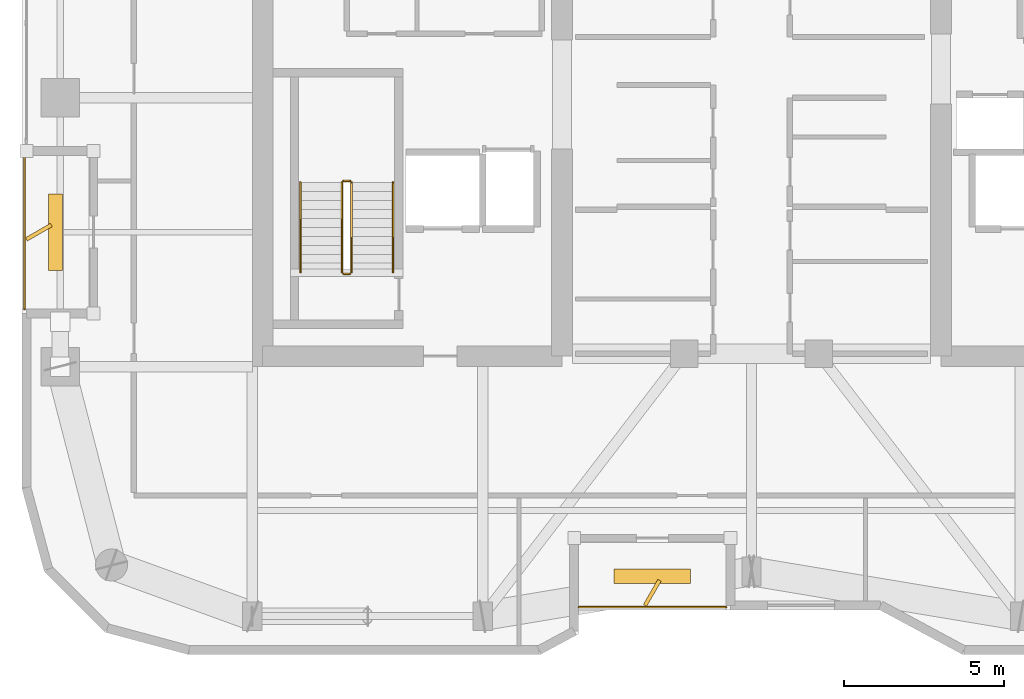
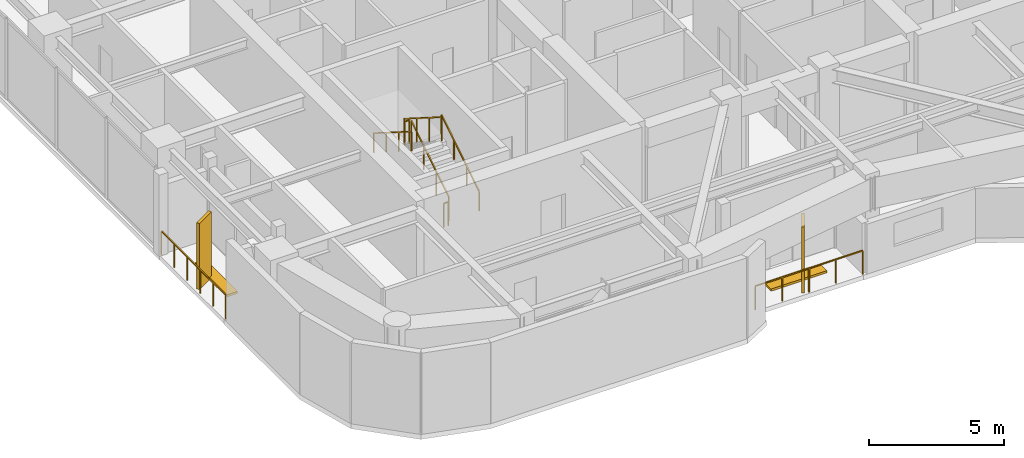
# One storey, part 19 of 21: 8 railings, 4 shading devices.
"""IFC4 building model written with IfcOpenShell, lengths in metres."""

import ifcopenshell
import ifcopenshell.guid

model = None  # the IFC model being written
_history = None  # IfcOwnerHistory: only IFC2X3 demands one
_inside = {}  # id of a spatial element -> (the spatial element, [elements in it])
_under = {}  # id of a project, library or spatial element -> (it, [spatial elements below it])
_declared = {}  # id of a project -> (the project, [libraries it declares])
_typed = {}  # id of a type object -> (the type object, [elements of that type])
_made_of = {}  # id of a material, layer set ... -> (it, [elements and type objects made of it])


def new_model(schema):
    """Start an empty IFC model of exactly this schema.

    Asked for "IFC4X3", IfcOpenShell would pick the latest addendum, in which some entities
    have other attributes; the version numbers below select the first issue.
    IFC2X3 requires an IfcOwnerHistory on every rooted entity: one is made here for all.
    """
    global model, _history
    if schema == "IFC4X3":
        model = ifcopenshell.file(schema_version=(4, 3, 0, 0))
    else:
        model = ifcopenshell.file(schema=schema)
    _inside.clear()
    _under.clear()
    _declared.clear()
    _typed.clear()
    _made_of.clear()
    _history = None
    if model.schema == "IFC2X3":
        org = make("IfcOrganization", Name="unknown")
        user = make(
            "IfcPersonAndOrganization",
            ThePerson=make("IfcPerson", FamilyName="unknown"),
            TheOrganization=org,
        )
        app = make(
            "IfcApplication",
            ApplicationDeveloper=org,
            Version="unknown",
            ApplicationFullName="unknown",
            ApplicationIdentifier="unknown",
        )
        _history = make(
            "IfcOwnerHistory",
            OwningUser=user,
            OwningApplication=app,
            ChangeAction="ADDED",
            CreationDate=0,
        )
    return model


def make(cls, **values):
    """One entity of the class cls with the attributes given. An attribute that is None is left unset."""
    return model.create_entity(
        cls, **{name: value for name, value in values.items() if value is not None}
    )


def rooted(cls, **values):
    """An entity with a GlobalId (a new one), such as an element, a storey or a relation."""
    return make(cls, GlobalId=ifcopenshell.guid.new(), OwnerHistory=_history, **values)


def si_unit(unit_type, name, prefix=None):
    """IfcSIUnit, for example si_unit("LENGTHUNIT", "METRE", prefix="MILLI")."""
    return make("IfcSIUnit", UnitType=unit_type, Prefix=prefix, Name=name)


def assignment(units):
    """IfcUnitAssignment: the units of a project."""
    return None if units is None else make("IfcUnitAssignment", Units=units)


def point(xyz):
    """IfcCartesianPoint."""
    return None if xyz is None else make("IfcCartesianPoint", Coordinates=xyz)


def direction(xyz):
    """IfcDirection."""
    return None if xyz is None else make("IfcDirection", DirectionRatios=xyz)


def frame(location, z_axis=None, x_axis=None):
    """IfcAxis2Placement3D, a coordinate frame: its origin and axes. An axis left out is left unset."""
    return make(
        "IfcAxis2Placement3D",
        Location=point(location),
        Axis=direction(z_axis),
        RefDirection=direction(x_axis),
    )


def frame_2d(location, x_axis=None):
    """IfcAxis2Placement2D, a coordinate frame in the plane: its origin and x axis."""
    return make(
        "IfcAxis2Placement2D", Location=point(location), RefDirection=direction(x_axis)
    )


def origin():
    """The frame at (0, 0, 0) with its axes left unset."""
    return frame((0.0, 0.0, 0.0))


def origin_2d():
    """The frame at (0, 0) in the plane with its x axis left unset."""
    return frame_2d((0.0, 0.0))


def place(relative_to, where):
    """IfcLocalPlacement: puts the frame where relative to a parent placement (None: the world)."""
    return make(
        "IfcLocalPlacement", PlacementRelTo=relative_to, RelativePlacement=where
    )


def context(
    kind, dimensions, precision=None, world=None, true_north=None, identifier=None
):
    """IfcGeometricRepresentationContext, for example the 3D "Model" context."""
    return make(
        "IfcGeometricRepresentationContext",
        ContextIdentifier=identifier,
        ContextType=kind,
        CoordinateSpaceDimension=dimensions,
        Precision=precision,
        WorldCoordinateSystem=world,
        TrueNorth=true_north,
    )


def subcontext(parent, identifier, kind, view, scale=None):
    """IfcGeometricRepresentationSubContext, for example "Body" below "Model"."""
    return make(
        "IfcGeometricRepresentationSubContext",
        ContextIdentifier=identifier,
        ContextType=kind,
        ParentContext=parent,
        TargetScale=scale,
        TargetView=view,
    )


def project(units=None, contexts=None):
    """IfcProject with its units and contexts."""
    return rooted(
        "IfcProject",
        Name="project",
        RepresentationContexts=contexts,
        UnitsInContext=assignment(units),
    )


def spatial(cls, under=None, at=None, **own):
    """A site, building, storey or space (cls), placed at a placement, below another one or the project."""
    s = rooted(cls, ObjectPlacement=at, **own)
    if under is not None:
        _under.setdefault(under.id(), (under, []))[1].append(s)
    return s


def profile(cls, at=None, kind="AREA", **sizes):
    """A parametric profile (cls). Its sizes go by their IFC names, for example OverallWidth=200.0."""
    return make(cls, ProfileType=kind, Position=at, **sizes)


def rectangle(**sizes):
    """IfcRectangleProfileDef."""
    return profile("IfcRectangleProfileDef", **sizes)


def extrude(swept, where, along, depth):
    """IfcExtrudedAreaSolid: the profile swept, set in the frame where, extruded along a direction by depth."""
    return make(
        "IfcExtrudedAreaSolid",
        SweptArea=swept,
        Position=where,
        ExtrudedDirection=direction(along),
        Depth=depth,
    )


def shape(context_of_items, identifier, shape_type, items):
    """IfcShapeRepresentation: the items that make up one representation, for example the "Body"."""
    return make(
        "IfcShapeRepresentation",
        ContextOfItems=context_of_items,
        RepresentationIdentifier=identifier,
        RepresentationType=shape_type,
        Items=items,
    )


def material(Name=None, Category=None):
    """IfcMaterial."""
    return make("IfcMaterial", Name=Name, Category=Category)


def made_of(thing, what):
    """Note that an element or type object is made of a material, layer set ...; save() writes the relation."""
    if what is not None:
        _made_of.setdefault(what.id(), (what, []))[1].append(thing)
    return thing


def type_object(cls, material=None, **own):
    """A type object (cls), such as IfcWallType, which elements share."""
    return made_of(rooted(cls, **own), material)


def element(
    cls,
    number,
    at=None,
    inside=None,
    cuts=None,
    type_object=None,
    material=None,
    context=None,
    identifier="Body",
    shape_type=None,
    held_by="IfcProductDefinitionShape",
    body=None,
    shapes=None,
    **own,
):
    """One element of the class cls, such as IfcWall. Its Tag is "e" and its number.

    at: its placement. inside: the storey or other place that contains it. cuts: it is an
    opening in that element (IfcRelVoidsElement). A single representation is given by context,
    identifier, shape_type and body (its items); several are given by shapes. held_by: the class
    of the entity that holds the representations. save() writes the other relations.
    """
    e = rooted(cls, Tag="e%d" % number, ObjectPlacement=at, **own)
    if body is not None:
        shapes = [shape(context, identifier, shape_type, body)]
    if shapes is not None:
        e.Representation = make(held_by, Representations=shapes)
    if inside is not None:
        _inside.setdefault(inside.id(), (inside, []))[1].append(e)
    if cuts is not None:
        rooted(
            "IfcRelVoidsElement", RelatingBuildingElement=cuts, RelatedOpeningElement=e
        )
    if type_object is not None:
        _typed.setdefault(type_object.id(), (type_object, []))[1].append(e)
    return made_of(e, material)


def aggregate(whole, parts):
    """IfcRelAggregates: a whole, such as a stair, and the parts it consists of."""
    return rooted("IfcRelAggregates", RelatingObject=whole, RelatedObjects=parts)


def save(model, path):
    """Write the relations noted so far, then the file.

    IfcRelAggregates (storeys below a building ...), IfcRelContainedInSpatialStructure (elements
    in a storey), IfcRelDefinesByType, IfcRelAssociatesMaterial and IfcRelDeclares: one each for
    every whole, place, type object, material and project.
    """
    for whole, parts in _under.values():
        aggregate(whole, parts)
    for where, things in _inside.values():
        rooted(
            "IfcRelContainedInSpatialStructure",
            RelatedElements=things,
            RelatingStructure=where,
        )
    for kind, things in _typed.values():
        rooted("IfcRelDefinesByType", RelatedObjects=things, RelatingType=kind)
    for what, things in _made_of.values():
        rooted("IfcRelAssociatesMaterial", RelatedObjects=things, RelatingMaterial=what)
    for by, libraries in _declared.values():
        rooted("IfcRelDeclares", RelatingContext=by, RelatedDefinitions=libraries)
    model.write(path)


model = new_model("IFC4")

# Units and contexts
model_context = context("Model", 3, precision=1e-05, world=origin(), true_north=direction((0.0, 1.0)))
body_context = subcontext(model_context, "Body", "Model", "MODEL_VIEW")
ifc_project = project(units=[si_unit("LENGTHUNIT", "METRE"), si_unit("AREAUNIT", "SQUARE_METRE"), si_unit("VOLUMEUNIT", "CUBIC_METRE"), si_unit("PLANEANGLEUNIT", "RADIAN"), si_unit("MASSUNIT", "GRAM", prefix="KILO")], contexts=[model_context])

# Site, building, storey
site_placement = place(None, origin())
site = spatial("IfcSite", under=ifc_project, at=site_placement, CompositionType="ELEMENT")
building_placement = place(site_placement, origin())
building = spatial("IfcBuilding", under=site, at=building_placement, Name="Kiyonajd Concourse Tower", CompositionType="ELEMENT")
storey_placement = place(building_placement, frame((0.0, 0.0, 223.199951171875)))
storey = spatial("IfcBuildingStorey", under=building, at=storey_placement, Name="L56", CompositionType="ELEMENT", Elevation=223.199951171875)

# Railings
ifc_material_1 = material(Name="Thermally Broken Anodised Aluminium", Category="aluminium")
railing_type_1 = type_object("IfcRailingType", Name="RL-GRD-LOG", PredefinedType="GUARDRAIL", material=ifc_material_1)
railing_1_placement = place(storey_placement, frame((42.60009765625, 20.080078125, 0.0)))
element("IfcRailing", 1, at=railing_1_placement, inside=storey, type_object=railing_type_1, Name="L56 Engawa Loggia Perimeter Guard LOG-S", PredefinedType="GUARDRAIL", context=body_context, shape_type="SweptSolid", body=[
    extrude(rectangle(XDim=0.048095703125, YDim=0.048095703125, at=origin_2d()), frame((0.0, 0.0, 1.076171875), z_axis=(1.0, 0.0, 0.0), x_axis=(0.0, 1.0, 0.0)), (0.0, 0.0, 1.0), 4.599853515625),
    extrude(rectangle(XDim=0.0419921875, YDim=0.0419921875, at=origin_2d()), origin(), (0.0, 0.0, 1.0), 1.052001953125),
    extrude(rectangle(XDim=0.0419921875, YDim=0.0419921875, at=origin_2d()), frame((1.14990234375, 0.0, 0.0)), (0.0, 0.0, 1.0), 1.052001953125),
    extrude(rectangle(XDim=0.0419921875, YDim=0.0419921875, at=origin_2d()), frame((2.2998046875, 0.0, 0.0)), (0.0, 0.0, 1.0), 1.052001953125),
    extrude(rectangle(XDim=0.0419921875, YDim=0.0419921875, at=origin_2d()), frame((3.449951171875, 0.0, 0.0)), (0.0, 0.0, 1.0), 1.052001953125),
    extrude(rectangle(XDim=0.0419921875, YDim=0.0419921875, at=origin_2d()), frame((4.599853515625, 0.0, 0.0)), (0.0, 0.0, 1.0), 1.052001953125),
])
railing_2_placement = place(storey_placement, frame((25.280029296875, 34.199951171875, 0.0)))
element("IfcRailing", 2, at=railing_2_placement, inside=storey, type_object=railing_type_1, Name="L56 Engawa Loggia Perimeter Guard LOG-W", PredefinedType="GUARDRAIL", context=body_context, shape_type="SweptSolid", body=[
    extrude(rectangle(XDim=0.048095703125, YDim=0.048095703125, at=origin_2d()), frame((0.0, 0.0, 1.076171875), z_axis=(0.0, -1.0, 0.0), x_axis=(1.0, 0.0, 0.0)), (0.0, 0.0, 1.0), 4.800048828125),
    extrude(rectangle(XDim=0.0419921875, YDim=0.0419921875, at=origin_2d()), origin(), (0.0, 0.0, 1.0), 1.052001953125),
    extrude(rectangle(XDim=0.0419921875, YDim=0.0419921875, at=origin_2d()), frame((0.0, -0.9599609375, 0.0)), (0.0, 0.0, 1.0), 1.052001953125),
    extrude(rectangle(XDim=0.0419921875, YDim=0.0419921875, at=origin_2d()), frame((0.0, -1.919921875, 0.0)), (0.0, 0.0, 1.0), 1.052001953125),
    extrude(rectangle(XDim=0.0419921875, YDim=0.0419921875, at=origin_2d()), frame((0.0, -2.880126953125, 0.0)), (0.0, 0.0, 1.0), 1.052001953125),
    extrude(rectangle(XDim=0.0419921875, YDim=0.0419921875, at=origin_2d()), frame((0.0, -3.840087890625, 0.0)), (0.0, 0.0, 1.0), 1.052001953125),
    extrude(rectangle(XDim=0.0419921875, YDim=0.0419921875, at=origin_2d()), frame((0.0, -4.800048828125, 0.0)), (0.0, 0.0, 1.0), 1.052001953125),
])
ifc_material_2 = material(Name="Steel ASTM A500 Grade C", Category="steel")
railing_type_2 = type_object("IfcRailingType", Name="RL-GRD-STR", PredefinedType="GUARDRAIL", material=ifc_material_2)
railing_3_placement = place(storey_placement, frame((35.5, 30.550048828125, 0.17724609375)))
element("IfcRailing", 3, at=railing_3_placement, inside=storey, type_object=railing_type_2, Name="L56 ST1 stair guard 1", PredefinedType="GUARDRAIL", context=body_context, shape_type="SweptSolid", body=[
    extrude(rectangle(XDim=0.048095703125, YDim=0.048095703125, at=origin_2d()), frame((0.0, 0.0, 1.076171875), z_axis=(0.0, 0.844908973607, 0.534910110503), x_axis=(-1.0, 0.0, 0.0)), (0.0, 0.0, 1.0), 3.31396484375),
    extrude(rectangle(XDim=0.0419921875, YDim=0.0419921875, at=origin_2d()), origin(), (0.0, 0.0, 1.0), 1.052001953125),
    extrude(rectangle(XDim=0.0419921875, YDim=0.0419921875, at=origin_2d()), frame((0.0, 0.933349609375, 0.5908203125)), (0.0, 0.0, 1.0), 1.052001953125),
    extrude(rectangle(XDim=0.0419921875, YDim=0.0419921875, at=origin_2d()), frame((0.0, 1.86669921875, 1.181884765625)), (0.0, 0.0, 1.0), 1.052001953125),
    extrude(rectangle(XDim=0.0419921875, YDim=0.0419921875, at=origin_2d()), frame((0.0, 2.800048828125, 1.772705078125)), (0.0, 0.0, 1.0), 1.052001953125),
])
railing_4_placement = place(storey_placement, frame((35.449951171875, 33.39990234375, 1.949951171875)))
element("IfcRailing", 4, at=railing_4_placement, inside=storey, type_object=railing_type_2, Name="L56 ST1 stair guard 2", PredefinedType="GUARDRAIL", context=body_context, shape_type="SweptSolid", body=[
    extrude(rectangle(XDim=0.048095703125, YDim=0.048095703125, at=origin_2d()), frame((0.0, 0.0, 1.076171875), z_axis=(-1.0, 0.0, 0.0), x_axis=(0.0, -1.0, 0.0)), (0.0, 0.0, 1.0), 0.199951171875),
    extrude(rectangle(XDim=0.0419921875, YDim=0.0419921875, at=origin_2d()), origin(), (0.0, 0.0, 1.0), 1.052001953125),
    extrude(rectangle(XDim=0.0419921875, YDim=0.0419921875, at=origin_2d()), frame((-0.199951171875, 0.0, 0.0)), (0.0, 0.0, 1.0), 1.052001953125),
])
railing_5_placement = place(storey_placement, frame((35.199951171875, 33.35009765625, 2.12744140625)))
element("IfcRailing", 5, at=railing_5_placement, inside=storey, type_object=railing_type_2, Name="L56 ST1 stair guard 3", PredefinedType="GUARDRAIL", context=body_context, shape_type="SweptSolid", body=[
    extrude(rectangle(XDim=0.048095703125, YDim=0.048095703125, at=origin_2d()), frame((0.0, 0.0, 1.076171875), z_axis=(0.0, -0.844908973607, 0.534910110503), x_axis=(1.0, 0.0, 0.0)), (0.0, 0.0, 1.0), 3.31396484375),
    extrude(rectangle(XDim=0.0419921875, YDim=0.0419921875, at=origin_2d()), origin(), (0.0, 0.0, 1.0), 1.052001953125),
    extrude(rectangle(XDim=0.0419921875, YDim=0.0419921875, at=origin_2d()), frame((0.0, -0.933349609375, 0.5908203125)), (0.0, 0.0, 1.0), 1.052001953125),
    extrude(rectangle(XDim=0.0419921875, YDim=0.0419921875, at=origin_2d()), frame((0.0, -1.86669921875, 1.181884765625)), (0.0, 0.0, 1.0), 1.052001953125),
    extrude(rectangle(XDim=0.0419921875, YDim=0.0419921875, at=origin_2d()), frame((0.0, -2.800048828125, 1.772705078125)), (0.0, 0.0, 1.0), 1.052001953125),
])
railing_6_placement = place(storey_placement, frame((35.449951171875, 30.5, 0.0)))
element("IfcRailing", 6, at=railing_6_placement, inside=storey, type_object=railing_type_2, Name="L56 ST1 stair guard 4", PredefinedType="GUARDRAIL", context=body_context, shape_type="SweptSolid", body=[
    extrude(rectangle(XDim=0.048095703125, YDim=0.048095703125, at=origin_2d()), frame((0.0, 0.0, 1.076171875), z_axis=(-1.0, 0.0, 0.0), x_axis=(0.0, -1.0, 0.0)), (0.0, 0.0, 1.0), 0.199951171875),
    extrude(rectangle(XDim=0.0419921875, YDim=0.0419921875, at=origin_2d()), origin(), (0.0, 0.0, 1.0), 1.052001953125),
    extrude(rectangle(XDim=0.0419921875, YDim=0.0419921875, at=origin_2d()), frame((-0.199951171875, 0.0, 0.0)), (0.0, 0.0, 1.0), 1.052001953125),
])
ifc_material_3 = material(Name="Brushed Stainless Steel Cab Assembly", Category="steel")
railing_type_3 = type_object("IfcRailingType", Name="RL-HND-900", PredefinedType="HANDRAIL", material=ifc_material_3)
railing_7_placement = place(storey_placement, frame((36.800048828125, 30.550048828125, 0.17724609375)))
element("IfcRailing", 7, at=railing_7_placement, inside=storey, type_object=railing_type_3, Name="L56 ST1 stair handrail 1", PredefinedType="HANDRAIL", context=body_context, shape_type="SweptSolid", body=[
    extrude(rectangle(XDim=0.048095703125, YDim=0.048095703125, at=origin_2d()), frame((0.0, 0.0, 0.8759765625), z_axis=(0.0, 0.844908973607, 0.534910110503), x_axis=(-1.0, 0.0, 0.0)), (0.0, 0.0, 1.0), 3.31396484375),
    extrude(rectangle(XDim=0.0419921875, YDim=0.0419921875, at=origin_2d()), origin(), (0.0, 0.0, 1.0), 0.851806640625),
    extrude(rectangle(XDim=0.0419921875, YDim=0.0419921875, at=origin_2d()), frame((0.0, 0.933349609375, 0.5908203125)), (0.0, 0.0, 1.0), 0.851806640625),
    extrude(rectangle(XDim=0.0419921875, YDim=0.0419921875, at=origin_2d()), frame((0.0, 1.86669921875, 1.181884765625)), (0.0, 0.0, 1.0), 0.851806640625),
    extrude(rectangle(XDim=0.0419921875, YDim=0.0419921875, at=origin_2d()), frame((0.0, 2.800048828125, 1.772705078125)), (0.0, 0.0, 1.0), 0.851806640625),
])
railing_8_placement = place(storey_placement, frame((33.89990234375, 33.35009765625, 2.12744140625)))
element("IfcRailing", 8, at=railing_8_placement, inside=storey, type_object=railing_type_3, Name="L56 ST1 stair handrail 2", PredefinedType="HANDRAIL", context=body_context, shape_type="SweptSolid", body=[
    extrude(rectangle(XDim=0.048095703125, YDim=0.048095703125, at=origin_2d()), frame((0.0, 0.0, 0.8759765625), z_axis=(0.0, -0.844908973607, 0.534910110503), x_axis=(1.0, 0.0, 0.0)), (0.0, 0.0, 1.0), 3.31396484375),
    extrude(rectangle(XDim=0.0419921875, YDim=0.0419921875, at=origin_2d()), origin(), (0.0, 0.0, 1.0), 0.851806640625),
    extrude(rectangle(XDim=0.0419921875, YDim=0.0419921875, at=origin_2d()), frame((0.0, -0.933349609375, 0.5908203125)), (0.0, 0.0, 1.0), 0.851806640625),
    extrude(rectangle(XDim=0.0419921875, YDim=0.0419921875, at=origin_2d()), frame((0.0, -1.86669921875, 1.181884765625)), (0.0, 0.0, 1.0), 0.851806640625),
    extrude(rectangle(XDim=0.0419921875, YDim=0.0419921875, at=origin_2d()), frame((0.0, -2.800048828125, 1.772705078125)), (0.0, 0.0, 1.0), 0.851806640625),
])

# Shading devices
ifc_material_4 = material(Name="Precast concrete C50/60", Category="concrete")
shading_device_type_1 = type_object("IfcShadingDeviceType", Name="SH-FIN-900", PredefinedType="USERDEFINED", material=ifc_material_4)
for number, where, z_axis, x_axis, name in (
    (9, (44.89990234375, 20.530029296875, 0.0), (0.0, 0.0, 1.0), (0.5, 0.866025403784, 0.0), "L56 Angled Koshi Solar Fin LOG-S"),
    (10, (25.72998046875, 31.800048828125, 0.0), (0.0, 0.0, 1.0), (0.866025403784, 0.5, 0.0), "L56 Angled Koshi Solar Fin LOG-W"),
):
    element("IfcShadingDevice", number, at=place(storey_placement, frame(where, z_axis=z_axis, x_axis=x_axis)), inside=storey, type_object=shading_device_type_1, Name=name, ObjectType="FIN", PredefinedType="USERDEFINED", context=body_context, shape_type="SweptSolid", body=[
        extrude(rectangle(XDim=0.89990234375, YDim=0.1201171875, at=origin_2d()), origin(), (0.0, 0.0, 1.0), 3.0),
    ])
shading_device_type_2 = type_object("IfcShadingDeviceType", Name="SH-LVR-600", PredefinedType="JALOUSIE", material=ifc_material_1)
for number, where, z_axis, x_axis, name in (
    (11, (44.89990234375, 21.050048828125, 0.0), (0.0, 0.0, 1.0), (1.0, 0.0, 0.0), "L56 Loggia Threshold Louver LOG-S"),
    (12, (26.25, 31.800048828125, 0.0), (0.0, 0.0, 1.0), (0.0, 1.0, 0.0), "L56 Loggia Threshold Louver LOG-W"),
):
    element("IfcShadingDevice", number, at=place(storey_placement, frame(where, z_axis=z_axis, x_axis=x_axis)), inside=storey, type_object=shading_device_type_2, Name=name, PredefinedType="JALOUSIE", context=body_context, shape_type="SweptSolid", body=[
        extrude(rectangle(XDim=2.39990234375, YDim=0.449951171875, at=origin_2d()), origin(), (0.0, 0.0, 1.0), 0.10009765625),
    ])

save(model, "model.ifc")
